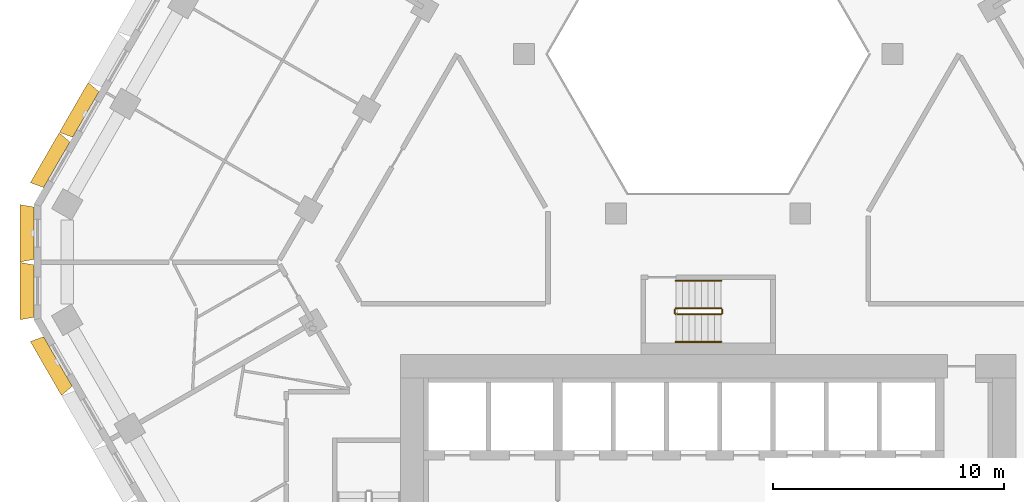
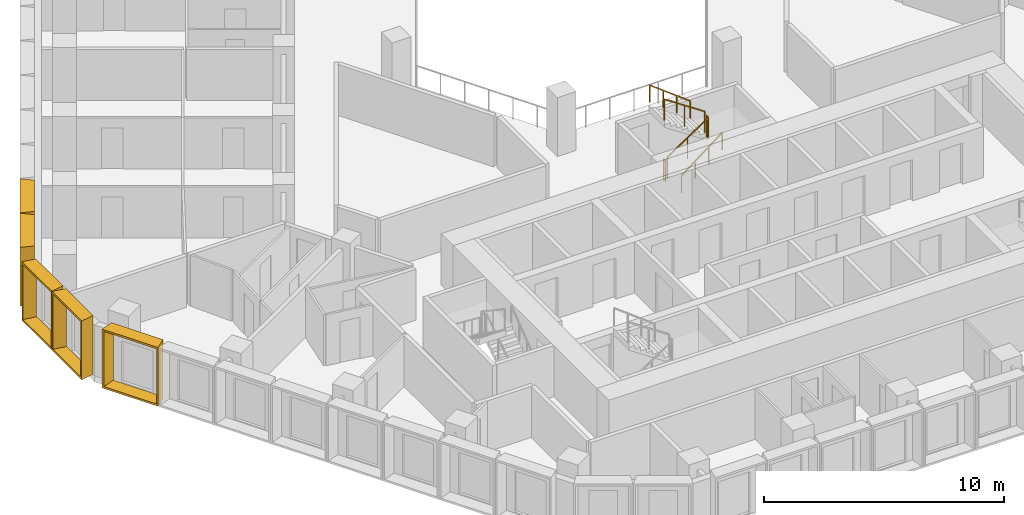
# One storey, part 16 of 18: 6 railings, 5 shading devices.
"""IFC4 building model written with IfcOpenShell, lengths in metres."""

from ifc_helpers import new_model, entity, si_unit, direction, frame, origin, origin_2d, place, context, subcontext, project, spatial, rectangle, extrude, source, transform, mapped, material, type_object, type_shapes, element, save


model = new_model("IFC4")

# Units and contexts
model_context = context("Model", 3, precision=1e-05, world=origin(), true_north=direction((0.0, 1.0)))
body_context = subcontext(model_context, "Body", "Model", "MODEL_VIEW")
ifc_project = project(units=[si_unit("LENGTHUNIT", "METRE"), si_unit("AREAUNIT", "SQUARE_METRE"), si_unit("VOLUMEUNIT", "CUBIC_METRE"), si_unit("PLANEANGLEUNIT", "RADIAN"), si_unit("MASSUNIT", "GRAM", prefix="KILO")], contexts=[model_context])

# Site, building, storey
site_placement = place(None, origin())
site = spatial("IfcSite", under=ifc_project, at=site_placement, CompositionType="ELEMENT")
building_placement = place(site_placement, origin())
building = spatial("IfcBuilding", under=site, at=building_placement, Name="Beryl Residences", CompositionType="ELEMENT")
storey_placement = place(building_placement, frame((0.0, 0.0, 105.0)))
storey = spatial("IfcBuildingStorey", under=building, at=storey_placement, Name="L32", CompositionType="ELEMENT", Elevation=105.0)

# Shading devices
ifc_material_1 = material(Name="Aluminium pale anodised", Category="aluminium")
shading_device_type_1 = type_object("IfcShadingDeviceType", Name="FR250-60A OUTER SKIN frame 600 mm deep, splay 10/10 deg, 2500 x 3000 mm cell", PredefinedType="USERDEFINED", material=ifc_material_1)
cartesian_point_1 = entity("IfcCartesianPoint", [-1.134033203125, 0.0])
cartesian_point_2 = entity("IfcCartesianPoint", [-1.052734375, 0.10009765625])
cartesian_point_3 = entity("IfcCartesianPoint", [-1.23974609375, 0.0])
cartesian_point_4 = entity("IfcCartesianPoint", [-1.158447265625, 0.10009765625])
shared_shape_1 = source(origin(), body_context, "Body", "SweptSolid", [
    entity("IfcExtrudedAreaSolidTapered", entity("IfcArbitraryProfileDefWithVoids", "AREA", None, entity("IfcPolyline", [cartesian_point_1, entity("IfcCartesianPoint", [1.134033203125, 0.0]), entity("IfcCartesianPoint", [1.134033203125, 3.0]), entity("IfcCartesianPoint", [-1.134033203125, 3.0]), cartesian_point_1]), [entity("IfcPolyline", [cartesian_point_2, entity("IfcCartesianPoint", [1.052734375, 0.10009765625]), entity("IfcCartesianPoint", [1.052734375, 2.89990234375]), entity("IfcCartesianPoint", [-1.052734375, 2.89990234375]), cartesian_point_2])]), entity("IfcAxis2Placement3D", entity("IfcCartesianPoint", [0.0, 0.0, 0.0]), entity("IfcDirection", [0.0, 1.0, 0.0]), entity("IfcDirection", [-1.0, 0.0, 0.0])), entity("IfcDirection", [0.0, 0.0, 1.0]), 0.60009765625, entity("IfcArbitraryProfileDefWithVoids", "AREA", None, entity("IfcPolyline", [cartesian_point_3, entity("IfcCartesianPoint", [1.23974609375, 0.0]), entity("IfcCartesianPoint", [1.23974609375, 3.0]), entity("IfcCartesianPoint", [-1.23974609375, 3.0]), cartesian_point_3]), [entity("IfcPolyline", [cartesian_point_4, entity("IfcCartesianPoint", [1.158447265625, 0.10009765625]), entity("IfcCartesianPoint", [1.158447265625, 2.89990234375]), entity("IfcCartesianPoint", [-1.158447265625, 2.89990234375]), cartesian_point_4])])),
])
type_shapes(shading_device_type_1, [shared_shape_1])
for number, where, z_axis, x_axis, name in (
    (1, (-29.156982421875, 0.25, 0.0), (0.0, 0.0, 1.0), (0.0, 1.0, 0.0), "FR250-60A frame L32 NW-SW 1"),
    (2, (-29.156982421875, -2.25, 0.0), (0.0, 0.0, 1.0), (0.0, 1.0, 0.0), "FR250-60A frame L32 NW-SW 2"),
):
    element("IfcShadingDevice", number, at=place(storey_placement, frame(where, z_axis=z_axis, x_axis=x_axis)), inside=storey, type_object=shading_device_type_1, Name=name, ObjectType="OUTER SKIN", PredefinedType="USERDEFINED", context=body_context, shape_type="MappedRepresentation", body=[
        mapped(shared_shape_1, transform((0.0, 0.0, 0.0))),
    ])
ifc_material_2 = material(Name="Aluminium pale anodised", Category="aluminium")
shading_device_type_2 = type_object("IfcShadingDeviceType", Name="FR251-60A OUTER SKIN frame 600 mm deep, splay 10/10 deg, 2510 x 3000 mm cell", PredefinedType="USERDEFINED", material=ifc_material_2)
cartesian_point_5 = entity("IfcCartesianPoint", [-1.138916015625, 0.0])
cartesian_point_6 = entity("IfcCartesianPoint", [-1.057861328125, 0.10009765625])
cartesian_point_7 = entity("IfcCartesianPoint", [-1.244873046875, 0.0])
cartesian_point_8 = entity("IfcCartesianPoint", [-1.16357421875, 0.10009765625])
shared_shape_2 = source(origin(), body_context, "Body", "SweptSolid", [
    entity("IfcExtrudedAreaSolidTapered", entity("IfcArbitraryProfileDefWithVoids", "AREA", None, entity("IfcPolyline", [cartesian_point_5, entity("IfcCartesianPoint", [1.138916015625, 0.0]), entity("IfcCartesianPoint", [1.138916015625, 3.0]), entity("IfcCartesianPoint", [-1.138916015625, 3.0]), cartesian_point_5]), [entity("IfcPolyline", [cartesian_point_6, entity("IfcCartesianPoint", [1.057861328125, 0.10009765625]), entity("IfcCartesianPoint", [1.057861328125, 2.89990234375]), entity("IfcCartesianPoint", [-1.057861328125, 2.89990234375]), cartesian_point_6])]), entity("IfcAxis2Placement3D", entity("IfcCartesianPoint", [0.0, 0.0, 0.0]), entity("IfcDirection", [0.0, 1.0, 0.0]), entity("IfcDirection", [-1.0, 0.0, 0.0])), entity("IfcDirection", [0.0, 0.0, 1.0]), 0.60009765625, entity("IfcArbitraryProfileDefWithVoids", "AREA", None, entity("IfcPolyline", [cartesian_point_7, entity("IfcCartesianPoint", [1.244873046875, 0.0]), entity("IfcCartesianPoint", [1.244873046875, 3.0]), entity("IfcCartesianPoint", [-1.244873046875, 3.0]), cartesian_point_7]), [entity("IfcPolyline", [cartesian_point_8, entity("IfcCartesianPoint", [1.16357421875, 0.10009765625]), entity("IfcCartesianPoint", [1.16357421875, 2.89990234375]), entity("IfcCartesianPoint", [-1.16357421875, 2.89990234375]), cartesian_point_8])])),
])
type_shapes(shading_device_type_2, [shared_shape_2])
for number, where, z_axis, x_axis, name in (
    (3, (-26.912109375, 5.387939453125, 0.0), (0.0, 0.0, 1.0), (0.5, 0.866025403784, 0.0), "FR251-60A frame L32 NW 9"),
    (4, (-28.16796875, 3.212890625, 0.0), (0.0, 0.0, 1.0), (0.5, 0.866025403784, 0.0), "FR251-60A frame L32 NW 10"),
):
    element("IfcShadingDevice", number, at=place(storey_placement, frame(where, z_axis=z_axis, x_axis=x_axis)), inside=storey, type_object=shading_device_type_2, Name=name, ObjectType="OUTER SKIN", PredefinedType="USERDEFINED", context=body_context, shape_type="MappedRepresentation", body=[
        mapped(shared_shape_2, transform((0.0, 0.0, 0.0))),
    ])
ifc_material_3 = material(Name="Aluminium pale anodised", Category="aluminium")
shading_device_type_3 = type_object("IfcShadingDeviceType", Name="FR271-60A OUTER SKIN frame 600 mm deep, splay 10/10 deg, 2710 x 3000 mm cell", PredefinedType="USERDEFINED", material=ifc_material_3)
cartesian_point_9 = entity("IfcCartesianPoint", [-1.239013671875, 0.0])
cartesian_point_10 = entity("IfcCartesianPoint", [-1.15771484375, 0.10009765625])
cartesian_point_11 = entity("IfcCartesianPoint", [-1.3447265625, 0.0])
cartesian_point_12 = entity("IfcCartesianPoint", [-1.263671875, 0.10009765625])
shared_shape_3 = source(origin(), body_context, "Body", "SweptSolid", [
    entity("IfcExtrudedAreaSolidTapered", entity("IfcArbitraryProfileDefWithVoids", "AREA", None, entity("IfcPolyline", [cartesian_point_9, entity("IfcCartesianPoint", [1.239013671875, 0.0]), entity("IfcCartesianPoint", [1.239013671875, 3.0]), entity("IfcCartesianPoint", [-1.239013671875, 3.0]), cartesian_point_9]), [entity("IfcPolyline", [cartesian_point_10, entity("IfcCartesianPoint", [1.15771484375, 0.10009765625]), entity("IfcCartesianPoint", [1.15771484375, 2.89990234375]), entity("IfcCartesianPoint", [-1.15771484375, 2.89990234375]), cartesian_point_10])]), entity("IfcAxis2Placement3D", entity("IfcCartesianPoint", [0.0, 0.0, 0.0]), entity("IfcDirection", [0.0, 1.0, 0.0]), entity("IfcDirection", [-1.0, 0.0, 0.0])), entity("IfcDirection", [0.0, 0.0, 1.0]), 0.60009765625, entity("IfcArbitraryProfileDefWithVoids", "AREA", None, entity("IfcPolyline", [cartesian_point_11, entity("IfcCartesianPoint", [1.3447265625, 0.0]), entity("IfcCartesianPoint", [1.3447265625, 3.0]), entity("IfcCartesianPoint", [-1.3447265625, 3.0]), cartesian_point_11]), [entity("IfcPolyline", [cartesian_point_12, entity("IfcCartesianPoint", [1.263671875, 0.10009765625]), entity("IfcCartesianPoint", [1.263671875, 2.89990234375]), entity("IfcCartesianPoint", [-1.263671875, 2.89990234375]), cartesian_point_12])])),
])
type_shapes(shading_device_type_3, [shared_shape_3])
shading_device_placement = place(storey_placement, frame((-28.118896484375, -5.2958984375, 0.0), z_axis=(0.0, 0.0, 1.0), x_axis=(-0.5, 0.866025403784, 0.0)))
element("IfcShadingDevice", 5, at=shading_device_placement, inside=storey, type_object=shading_device_type_3, Name="FR271-60A frame L32 SW 1", ObjectType="OUTER SKIN", PredefinedType="USERDEFINED", context=body_context, shape_type="MappedRepresentation", body=[
    mapped(shared_shape_3, transform((0.0, 0.0, 0.0))),
])

# Railings
ifc_material_4 = material(Name="Stainless steel balustrade with glass infill", Category="steel")
railing_type_1 = type_object("IfcRailingType", Name="SG1 stair guard 1100 mm", PredefinedType="GUARDRAIL", material=ifc_material_4)
railing_1_placement = place(storey_placement, frame((-1.39990234375, -3.25, 0.1875)))
element("IfcRailing", 6, at=railing_1_placement, inside=storey, type_object=railing_type_1, Name="L32 ST-4 stair guard 1", PredefinedType="GUARDRAIL", context=body_context, shape_type="SweptSolid", body=[
    extrude(rectangle(XDim=0.048095703125, YDim=0.048095703125, at=origin_2d()), frame((0.0, 0.0, 1.076171875), z_axis=(0.830902050051, 0.0, 0.556418712142), x_axis=(0.0, 1.0, 0.0)), (0.0, 0.0, 1.0), 2.35888671875),
    extrude(rectangle(XDim=0.0419921875, YDim=0.0419921875, at=origin_2d()), origin(), (0.0, 0.0, 1.0), 1.052001953125),
    extrude(rectangle(XDim=0.0419921875, YDim=0.0419921875, at=origin_2d()), frame((0.97998046875, 0.0, 0.65625)), (0.0, 0.0, 1.0), 1.052001953125),
    extrude(rectangle(XDim=0.0419921875, YDim=0.0419921875, at=origin_2d()), frame((1.9599609375, 0.0, 1.3125)), (0.0, 0.0, 1.0), 1.052001953125),
])
railing_2_placement = place(storey_placement, frame((0.610107421875, -3.199951171875, 1.5)))
element("IfcRailing", 7, at=railing_2_placement, inside=storey, type_object=railing_type_1, Name="L32 ST-4 stair guard 2", PredefinedType="GUARDRAIL", context=body_context, shape_type="SweptSolid", body=[
    extrude(rectangle(XDim=0.048095703125, YDim=0.048095703125, at=origin_2d()), frame((0.0, 0.0, 1.076171875), z_axis=(0.0, 1.0, 0.0), x_axis=(-1.0, 0.0, 0.0)), (0.0, 0.0, 1.0), 0.14990234375),
    extrude(rectangle(XDim=0.0419921875, YDim=0.0419921875, at=origin_2d()), origin(), (0.0, 0.0, 1.0), 1.052001953125),
    extrude(rectangle(XDim=0.0419921875, YDim=0.0419921875, at=origin_2d()), frame((0.0, 0.14990234375, 0.0)), (0.0, 0.0, 1.0), 1.052001953125),
])
railing_3_placement = place(storey_placement, frame((0.56005859375, -3.0, 1.6875)))
element("IfcRailing", 8, at=railing_3_placement, inside=storey, type_object=railing_type_1, Name="L32 ST-4 stair guard 3", PredefinedType="GUARDRAIL", context=body_context, shape_type="SweptSolid", body=[
    extrude(rectangle(XDim=0.048095703125, YDim=0.048095703125, at=origin_2d()), frame((0.0, 0.0, 1.076171875), z_axis=(-0.830902050051, 0.0, 0.556418712142), x_axis=(0.0, -1.0, 0.0)), (0.0, 0.0, 1.0), 2.35888671875),
    extrude(rectangle(XDim=0.0419921875, YDim=0.0419921875, at=origin_2d()), origin(), (0.0, 0.0, 1.0), 1.052001953125),
    extrude(rectangle(XDim=0.0419921875, YDim=0.0419921875, at=origin_2d()), frame((-0.97998046875, 0.0, 0.65625)), (0.0, 0.0, 1.0), 1.052001953125),
    extrude(rectangle(XDim=0.0419921875, YDim=0.0419921875, at=origin_2d()), frame((-1.9599609375, 0.0, 1.3125)), (0.0, 0.0, 1.0), 1.052001953125),
])
railing_4_placement = place(storey_placement, frame((-1.449951171875, -3.199951171875, 0.0)))
element("IfcRailing", 9, at=railing_4_placement, inside=storey, type_object=railing_type_1, Name="L32 ST-4 stair guard 4", PredefinedType="GUARDRAIL", context=body_context, shape_type="SweptSolid", body=[
    extrude(rectangle(XDim=0.048095703125, YDim=0.048095703125, at=origin_2d()), frame((0.0, 0.0, 1.076171875), z_axis=(0.0, 1.0, 0.0), x_axis=(-1.0, 0.0, 0.0)), (0.0, 0.0, 1.0), 0.14990234375),
    extrude(rectangle(XDim=0.0419921875, YDim=0.0419921875, at=origin_2d()), origin(), (0.0, 0.0, 1.0), 1.052001953125),
    extrude(rectangle(XDim=0.0419921875, YDim=0.0419921875, at=origin_2d()), frame((0.0, 0.14990234375, 0.0)), (0.0, 0.0, 1.0), 1.052001953125),
])
ifc_material_5 = material(Name="Stainless steel handrail", Category="steel")
railing_type_2 = type_object("IfcRailingType", Name="SRL1 stair handrail 900 mm", PredefinedType="HANDRAIL", material=ifc_material_5)
railing_5_placement = place(storey_placement, frame((-1.39990234375, -4.449951171875, 0.1875)))
element("IfcRailing", 10, at=railing_5_placement, inside=storey, type_object=railing_type_2, Name="L32 ST-4 stair handrail 1", PredefinedType="HANDRAIL", context=body_context, shape_type="SweptSolid", body=[
    extrude(rectangle(XDim=0.048095703125, YDim=0.048095703125, at=origin_2d()), frame((0.0, 0.0, 0.8759765625), z_axis=(0.794121922505, 0.0, 0.607758481798), x_axis=(0.0, 1.0, 0.0)), (0.0, 0.0, 1.0), 2.468017578125),
    extrude(rectangle(XDim=0.0419921875, YDim=0.0419921875, at=origin_2d()), origin(), (0.0, 0.0, 1.0), 0.851806640625),
    extrude(rectangle(XDim=0.0419921875, YDim=0.0419921875, at=origin_2d()), frame((0.6533203125, 0.0, 0.5)), (0.0, 0.0, 1.0), 0.851806640625),
    extrude(rectangle(XDim=0.0419921875, YDim=0.0419921875, at=origin_2d()), frame((1.306640625, 0.0, 1.0)), (0.0, 0.0, 1.0), 0.851806640625),
    extrude(rectangle(XDim=0.0419921875, YDim=0.0419921875, at=origin_2d()), frame((1.9599609375, 0.0, 1.5)), (0.0, 0.0, 1.0), 0.851806640625),
])
railing_6_placement = place(storey_placement, frame((0.56005859375, -1.800048828125, 1.6875)))
element("IfcRailing", 11, at=railing_6_placement, inside=storey, type_object=railing_type_2, Name="L32 ST-4 stair handrail 2", PredefinedType="HANDRAIL", context=body_context, shape_type="SweptSolid", body=[
    extrude(rectangle(XDim=0.048095703125, YDim=0.048095703125, at=origin_2d()), frame((0.0, 0.0, 0.8759765625), z_axis=(-0.794121922505, 0.0, 0.607758481798), x_axis=(0.0, -1.0, 0.0)), (0.0, 0.0, 1.0), 2.468017578125),
    extrude(rectangle(XDim=0.0419921875, YDim=0.0419921875, at=origin_2d()), origin(), (0.0, 0.0, 1.0), 0.851806640625),
    extrude(rectangle(XDim=0.0419921875, YDim=0.0419921875, at=origin_2d()), frame((-0.6533203125, 0.0, 0.5)), (0.0, 0.0, 1.0), 0.851806640625),
    extrude(rectangle(XDim=0.0419921875, YDim=0.0419921875, at=origin_2d()), frame((-1.306640625, 0.0, 1.0)), (0.0, 0.0, 1.0), 0.851806640625),
    extrude(rectangle(XDim=0.0419921875, YDim=0.0419921875, at=origin_2d()), frame((-1.9599609375, 0.0, 1.5)), (0.0, 0.0, 1.0), 0.851806640625),
])

save(model, "model.ifc")
